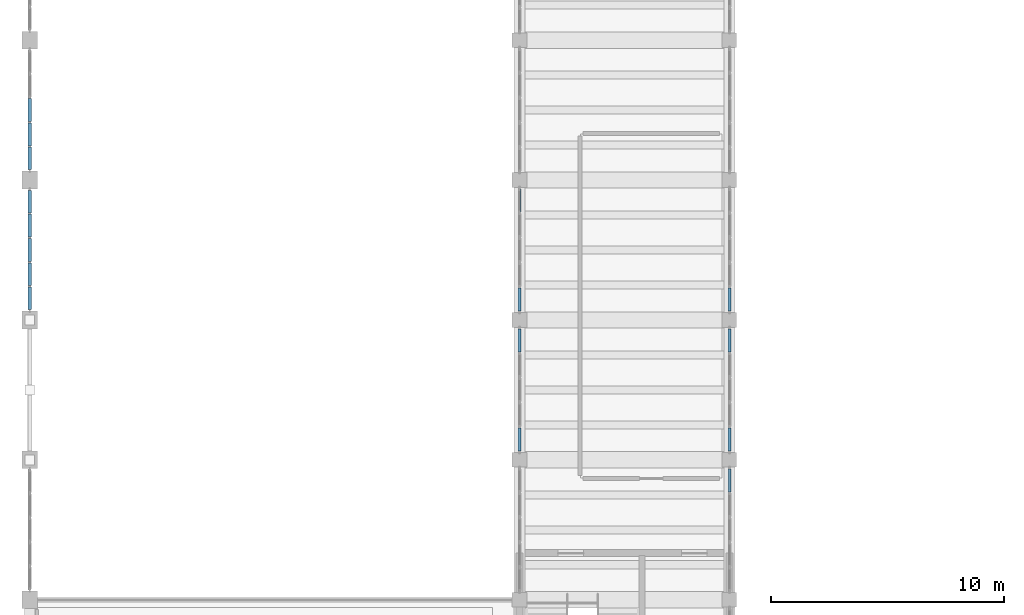
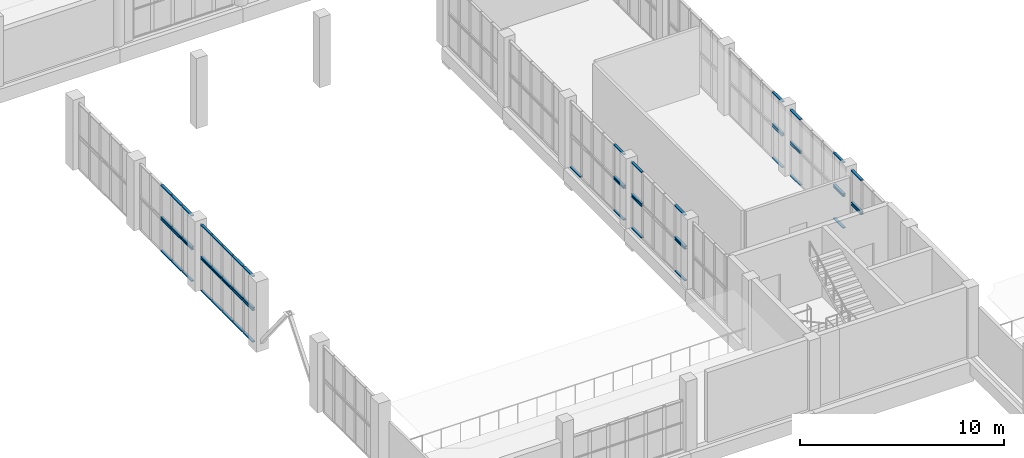
# One storey, part 34 of 85: 60 members, 14 elements without a shape of their own.
"""IFC4 building model written with IfcOpenShell, lengths in metres."""

from ifc_helpers import new_model, si_unit, direction, frame, origin, origin_2d, place, context, subcontext, project, spatial, rectangle, extrude, material, layer, layer_set, material_profile, profile_set, type_object, element, aggregate, save


model = new_model("IFC4")

# Units and contexts
model_context = context("Model", 3, precision=1e-05, world=origin(), true_north=direction((0.0, 1.0)))
body_context = subcontext(model_context, "Body", "Model", "MODEL_VIEW")
ifc_project = project(units=[si_unit("LENGTHUNIT", "METRE"), si_unit("AREAUNIT", "SQUARE_METRE"), si_unit("VOLUMEUNIT", "CUBIC_METRE"), si_unit("PLANEANGLEUNIT", "RADIAN"), si_unit("MASSUNIT", "GRAM", prefix="KILO")], contexts=[model_context])

# Site, building, storey
site_placement = place(None, origin())
site = spatial("IfcSite", under=ifc_project, at=site_placement, CompositionType="ELEMENT")
building_placement = place(site_placement, origin())
building = spatial("IfcBuilding", under=site, at=building_placement, Name="Solvane Community Centre", CompositionType="ELEMENT")
storey_placement = place(building_placement, frame((0.0, 0.0, 5.39990234375)))
storey = spatial("IfcBuildingStorey", under=building, at=storey_placement, Name="L01", CompositionType="ELEMENT", Elevation=5.39990234375)

# Curtain wall, member
ifc_material = material(Name="Anodised bronze aluminium AW-6063 T6", Category="aluminium")
ifc_layer_1 = layer(ifc_material, 0.179931640625)
ifc_layer_set_1 = layer_set([ifc_layer_1], Name="Anodised bronze aluminium AW-6063 T6")
curtain_wall_type_1 = type_object("IfcCurtainWallType", Name="Hall Translucent Upper Curtain Wall [53x19dm]", PredefinedType="NOTDEFINED", material=ifc_layer_set_1)
curtain_wall_1_placement = place(storey_placement, origin())
curtain_wall_1 = element("IfcCurtainWall", 1, at=curtain_wall_1_placement, inside=storey, type_object=curtain_wall_type_1, Name="Curtain Wall CW-L01-360_483-035", PredefinedType="NOTDEFINED")
ifc_material_profile = material_profile(ifc_material, rectangle(XDim=0.139892578125, YDim=0.06005859375, at=origin_2d()), Name="CW-T 60x140")
ifc_profile_set = profile_set([ifc_material_profile], Name="Anodised bronze aluminium AW-6063 T6")
member_type = type_object("IfcMemberType", Name="Hall Transom 60x140", PredefinedType="USERDEFINED", material=ifc_profile_set)
member_1_placement = place(storey_placement, frame((36.0, 52.632080078125, 1.920166015625), z_axis=(0.0, 1.0, 0.0), x_axis=(-1.0, 0.0, 0.0)))
member_1 = element("IfcMember", 2, at=member_1_placement, type_object=member_type, Name="CW01-53x19 transom 5.2", ObjectType="TRANSOM", PredefinedType="USERDEFINED", context=body_context, shape_type="SweptSolid", body=[
    extrude(rectangle(XDim=0.139892578125, YDim=0.06005859375, at=origin_2d()), origin(), (0.0, 0.0, 1.0), 0.97802734375),
])
aggregate(curtain_wall_1, [member_1])

# Curtain wall, members
ifc_layer_2 = layer(ifc_material, 0.179931640625)
ifc_layer_set_2 = layer_set([ifc_layer_2], Name="Anodised bronze aluminium AW-6063 T6")
curtain_wall_type_2 = type_object("IfcCurtainWallType", Name="Hall Translucent Upper Curtain Wall [53x20dm]", PredefinedType="NOTDEFINED", material=ifc_layer_set_2)
curtain_wall_2_placement = place(storey_placement, origin())
curtain_wall_2 = element("IfcCurtainWall", 3, at=curtain_wall_2_placement, inside=storey, type_object=curtain_wall_type_2, Name="Curtain Wall CW-L01-360_483-036", PredefinedType="NOTDEFINED")
member_2_placement = place(storey_placement, frame((36.0, 52.632080078125, 2.050048828125), z_axis=(0.0, 1.0, 0.0), x_axis=(-1.0, 0.0, 0.0)))
member_2 = element("IfcMember", 4, at=member_2_placement, type_object=member_type, Name="CW01-53x20 transom 5.1", ObjectType="TRANSOM", PredefinedType="USERDEFINED", context=body_context, shape_type="SweptSolid", body=[
    extrude(rectangle(XDim=0.139892578125, YDim=0.06005859375, at=origin_2d()), origin(), (0.0, 0.0, 1.0), 0.97802734375),
])
member_3_placement = place(storey_placement, frame((36.0, 52.632080078125, 3.9501953125), z_axis=(0.0, 1.0, 0.0), x_axis=(-1.0, 0.0, 0.0)))
member_3 = element("IfcMember", 5, at=member_3_placement, type_object=member_type, Name="CW01-53x20 transom 5.2", ObjectType="TRANSOM", PredefinedType="USERDEFINED", context=body_context, shape_type="SweptSolid", body=[
    extrude(rectangle(XDim=0.139892578125, YDim=0.06005859375, at=origin_2d()), origin(), (0.0, 0.0, 1.0), 0.97802734375),
])
aggregate(curtain_wall_2, [member_2, member_3])

curtain_wall_3_placement = place(storey_placement, origin())
curtain_wall_3 = element("IfcCurtainWall", 6, at=curtain_wall_3_placement, inside=storey, type_object=curtain_wall_type_1, Name="Curtain Wall CW-L01-360_543-043", PredefinedType="NOTDEFINED")
member_4_placement = place(storey_placement, frame((36.0, 54.389892578125, 0.030029296875), z_axis=(0.0, 1.0, 0.0), x_axis=(-1.0, 0.0, 0.0)))
member_4 = element("IfcMember", 7, at=member_4_placement, type_object=member_type, Name="CW01-53x19 transom 1.1", ObjectType="TRANSOM", PredefinedType="USERDEFINED", context=body_context, shape_type="SweptSolid", body=[
    extrude(rectangle(XDim=0.139892578125, YDim=0.06005859375, at=origin_2d()), origin(), (0.0, 0.0, 1.0), 0.97802734375),
])
member_5_placement = place(storey_placement, frame((36.0, 54.389892578125, 1.920166015625), z_axis=(0.0, 1.0, 0.0), x_axis=(-1.0, 0.0, 0.0)))
member_5 = element("IfcMember", 8, at=member_5_placement, type_object=member_type, Name="CW01-53x19 transom 1.2", ObjectType="TRANSOM", PredefinedType="USERDEFINED", context=body_context, shape_type="SweptSolid", body=[
    extrude(rectangle(XDim=0.139892578125, YDim=0.06005859375, at=origin_2d()), origin(), (0.0, 0.0, 1.0), 0.97802734375),
])
member_6_placement = place(storey_placement, frame((36.0, 58.632080078125, 0.030029296875), z_axis=(0.0, 1.0, 0.0), x_axis=(-1.0, 0.0, 0.0)))
member_6 = element("IfcMember", 9, at=member_6_placement, type_object=member_type, Name="CW01-53x19 transom 5.1", ObjectType="TRANSOM", PredefinedType="USERDEFINED", context=body_context, shape_type="SweptSolid", body=[
    extrude(rectangle(XDim=0.139892578125, YDim=0.06005859375, at=origin_2d()), origin(), (0.0, 0.0, 1.0), 0.97802734375),
])
member_7_placement = place(storey_placement, frame((36.0, 58.632080078125, 1.920166015625), z_axis=(0.0, 1.0, 0.0), x_axis=(-1.0, 0.0, 0.0)))
member_7 = element("IfcMember", 10, at=member_7_placement, type_object=member_type, Name="CW01-53x19 transom 5.2", ObjectType="TRANSOM", PredefinedType="USERDEFINED", context=body_context, shape_type="SweptSolid", body=[
    extrude(rectangle(XDim=0.139892578125, YDim=0.06005859375, at=origin_2d()), origin(), (0.0, 0.0, 1.0), 0.97802734375),
])
aggregate(curtain_wall_3, [member_4, member_5, member_6, member_7])

curtain_wall_4_placement = place(storey_placement, origin())
curtain_wall_4 = element("IfcCurtainWall", 11, at=curtain_wall_4_placement, inside=storey, type_object=curtain_wall_type_2, Name="Curtain Wall CW-L01-360_543-044", PredefinedType="NOTDEFINED")
member_8_placement = place(storey_placement, frame((36.0, 54.389892578125, 2.050048828125), z_axis=(0.0, 1.0, 0.0), x_axis=(-1.0, 0.0, 0.0)))
member_8 = element("IfcMember", 12, at=member_8_placement, type_object=member_type, Name="CW01-53x20 transom 1.1", ObjectType="TRANSOM", PredefinedType="USERDEFINED", context=body_context, shape_type="SweptSolid", body=[
    extrude(rectangle(XDim=0.139892578125, YDim=0.06005859375, at=origin_2d()), origin(), (0.0, 0.0, 1.0), 0.97802734375),
])
member_9_placement = place(storey_placement, frame((36.0, 54.389892578125, 3.9501953125), z_axis=(0.0, 1.0, 0.0), x_axis=(-1.0, 0.0, 0.0)))
member_9 = element("IfcMember", 13, at=member_9_placement, type_object=member_type, Name="CW01-53x20 transom 1.2", ObjectType="TRANSOM", PredefinedType="USERDEFINED", context=body_context, shape_type="SweptSolid", body=[
    extrude(rectangle(XDim=0.139892578125, YDim=0.06005859375, at=origin_2d()), origin(), (0.0, 0.0, 1.0), 0.97802734375),
])
member_10_placement = place(storey_placement, frame((36.0, 58.632080078125, 2.050048828125), z_axis=(0.0, 1.0, 0.0), x_axis=(-1.0, 0.0, 0.0)))
member_10 = element("IfcMember", 14, at=member_10_placement, type_object=member_type, Name="CW01-53x20 transom 5.1", ObjectType="TRANSOM", PredefinedType="USERDEFINED", context=body_context, shape_type="SweptSolid", body=[
    extrude(rectangle(XDim=0.139892578125, YDim=0.06005859375, at=origin_2d()), origin(), (0.0, 0.0, 1.0), 0.97802734375),
])
member_11_placement = place(storey_placement, frame((36.0, 58.632080078125, 3.9501953125), z_axis=(0.0, 1.0, 0.0), x_axis=(-1.0, 0.0, 0.0)))
member_11 = element("IfcMember", 15, at=member_11_placement, type_object=member_type, Name="CW01-53x20 transom 5.2", ObjectType="TRANSOM", PredefinedType="USERDEFINED", context=body_context, shape_type="SweptSolid", body=[
    extrude(rectangle(XDim=0.139892578125, YDim=0.06005859375, at=origin_2d()), origin(), (0.0, 0.0, 1.0), 0.97802734375),
])
aggregate(curtain_wall_4, [member_8, member_9, member_10, member_11])

curtain_wall_5_placement = place(storey_placement, origin())
curtain_wall_5 = element("IfcCurtainWall", 16, at=curtain_wall_5_placement, inside=storey, type_object=curtain_wall_type_1, Name="Curtain Wall CW-L01-270_597-047", PredefinedType="NOTDEFINED")
member_12_placement = place(storey_placement, frame((27.0, 59.610107421875, 0.030029296875), z_axis=(0.0, -1.0, 0.0), x_axis=(1.0, 0.0, 0.0)))
member_12 = element("IfcMember", 17, at=member_12_placement, type_object=member_type, Name="CW01-53x19 transom 1.1", ObjectType="TRANSOM", PredefinedType="USERDEFINED", context=body_context, shape_type="SweptSolid", body=[
    extrude(rectangle(XDim=0.139892578125, YDim=0.06005859375, at=origin_2d()), origin(), (0.0, 0.0, 1.0), 0.97802734375),
])
member_13_placement = place(storey_placement, frame((27.0, 59.610107421875, 1.920166015625), z_axis=(0.0, -1.0, 0.0), x_axis=(1.0, 0.0, 0.0)))
member_13 = element("IfcMember", 18, at=member_13_placement, type_object=member_type, Name="CW01-53x19 transom 1.2", ObjectType="TRANSOM", PredefinedType="USERDEFINED", context=body_context, shape_type="SweptSolid", body=[
    extrude(rectangle(XDim=0.139892578125, YDim=0.06005859375, at=origin_2d()), origin(), (0.0, 0.0, 1.0), 0.97802734375),
])
member_14_placement = place(storey_placement, frame((27.0, 55.367919921875, 0.030029296875), z_axis=(0.0, -1.0, 0.0), x_axis=(1.0, 0.0, 0.0)))
member_14 = element("IfcMember", 19, at=member_14_placement, type_object=member_type, Name="CW01-53x19 transom 5.1", ObjectType="TRANSOM", PredefinedType="USERDEFINED", context=body_context, shape_type="SweptSolid", body=[
    extrude(rectangle(XDim=0.139892578125, YDim=0.06005859375, at=origin_2d()), origin(), (0.0, 0.0, 1.0), 0.97802734375),
])
member_15_placement = place(storey_placement, frame((27.0, 55.367919921875, 1.920166015625), z_axis=(0.0, -1.0, 0.0), x_axis=(1.0, 0.0, 0.0)))
member_15 = element("IfcMember", 20, at=member_15_placement, type_object=member_type, Name="CW01-53x19 transom 5.2", ObjectType="TRANSOM", PredefinedType="USERDEFINED", context=body_context, shape_type="SweptSolid", body=[
    extrude(rectangle(XDim=0.139892578125, YDim=0.06005859375, at=origin_2d()), origin(), (0.0, 0.0, 1.0), 0.97802734375),
])
aggregate(curtain_wall_5, [member_12, member_13, member_14, member_15])

curtain_wall_6_placement = place(storey_placement, origin())
curtain_wall_6 = element("IfcCurtainWall", 21, at=curtain_wall_6_placement, inside=storey, type_object=curtain_wall_type_2, Name="Curtain Wall CW-L01-270_597-048", PredefinedType="NOTDEFINED")
member_16_placement = place(storey_placement, frame((27.0, 59.610107421875, 2.050048828125), z_axis=(0.0, -1.0, 0.0), x_axis=(1.0, 0.0, 0.0)))
member_16 = element("IfcMember", 22, at=member_16_placement, type_object=member_type, Name="CW01-53x20 transom 1.1", ObjectType="TRANSOM", PredefinedType="USERDEFINED", context=body_context, shape_type="SweptSolid", body=[
    extrude(rectangle(XDim=0.139892578125, YDim=0.06005859375, at=origin_2d()), origin(), (0.0, 0.0, 1.0), 0.97802734375),
])
member_17_placement = place(storey_placement, frame((27.0, 59.610107421875, 3.9501953125), z_axis=(0.0, -1.0, 0.0), x_axis=(1.0, 0.0, 0.0)))
member_17 = element("IfcMember", 23, at=member_17_placement, type_object=member_type, Name="CW01-53x20 transom 1.2", ObjectType="TRANSOM", PredefinedType="USERDEFINED", context=body_context, shape_type="SweptSolid", body=[
    extrude(rectangle(XDim=0.139892578125, YDim=0.06005859375, at=origin_2d()), origin(), (0.0, 0.0, 1.0), 0.97802734375),
])
member_18_placement = place(storey_placement, frame((27.0, 55.367919921875, 2.050048828125), z_axis=(0.0, -1.0, 0.0), x_axis=(1.0, 0.0, 0.0)))
member_18 = element("IfcMember", 24, at=member_18_placement, type_object=member_type, Name="CW01-53x20 transom 5.1", ObjectType="TRANSOM", PredefinedType="USERDEFINED", context=body_context, shape_type="SweptSolid", body=[
    extrude(rectangle(XDim=0.139892578125, YDim=0.06005859375, at=origin_2d()), origin(), (0.0, 0.0, 1.0), 0.97802734375),
])
member_19_placement = place(storey_placement, frame((27.0, 55.367919921875, 3.9501953125), z_axis=(0.0, -1.0, 0.0), x_axis=(1.0, 0.0, 0.0)))
member_19 = element("IfcMember", 25, at=member_19_placement, type_object=member_type, Name="CW01-53x20 transom 5.2", ObjectType="TRANSOM", PredefinedType="USERDEFINED", context=body_context, shape_type="SweptSolid", body=[
    extrude(rectangle(XDim=0.139892578125, YDim=0.06005859375, at=origin_2d()), origin(), (0.0, 0.0, 1.0), 0.97802734375),
])
aggregate(curtain_wall_6, [member_16, member_17, member_18, member_19])

curtain_wall_7_placement = place(storey_placement, origin())
curtain_wall_7 = element("IfcCurtainWall", 26, at=curtain_wall_7_placement, inside=storey, type_object=curtain_wall_type_1, Name="Curtain Wall CW-L01-360_603-049", PredefinedType="NOTDEFINED")
member_20_placement = place(storey_placement, frame((36.0, 60.389892578125, 0.030029296875), z_axis=(0.0, 1.0, 0.0), x_axis=(-1.0, 0.0, 0.0)))
member_20 = element("IfcMember", 27, at=member_20_placement, type_object=member_type, Name="CW01-53x19 transom 1.1", ObjectType="TRANSOM", PredefinedType="USERDEFINED", context=body_context, shape_type="SweptSolid", body=[
    extrude(rectangle(XDim=0.139892578125, YDim=0.06005859375, at=origin_2d()), origin(), (0.0, 0.0, 1.0), 0.97802734375),
])
member_21_placement = place(storey_placement, frame((36.0, 60.389892578125, 1.920166015625), z_axis=(0.0, 1.0, 0.0), x_axis=(-1.0, 0.0, 0.0)))
member_21 = element("IfcMember", 28, at=member_21_placement, type_object=member_type, Name="CW01-53x19 transom 1.2", ObjectType="TRANSOM", PredefinedType="USERDEFINED", context=body_context, shape_type="SweptSolid", body=[
    extrude(rectangle(XDim=0.139892578125, YDim=0.06005859375, at=origin_2d()), origin(), (0.0, 0.0, 1.0), 0.97802734375),
])
aggregate(curtain_wall_7, [member_20, member_21])

curtain_wall_8_placement = place(storey_placement, origin())
curtain_wall_8 = element("IfcCurtainWall", 29, at=curtain_wall_8_placement, inside=storey, type_object=curtain_wall_type_2, Name="Curtain Wall CW-L01-360_603-050", PredefinedType="NOTDEFINED")
member_22_placement = place(storey_placement, frame((36.0, 60.389892578125, 2.050048828125), z_axis=(0.0, 1.0, 0.0), x_axis=(-1.0, 0.0, 0.0)))
member_22 = element("IfcMember", 30, at=member_22_placement, type_object=member_type, Name="CW01-53x20 transom 1.1", ObjectType="TRANSOM", PredefinedType="USERDEFINED", context=body_context, shape_type="SweptSolid", body=[
    extrude(rectangle(XDim=0.139892578125, YDim=0.06005859375, at=origin_2d()), origin(), (0.0, 0.0, 1.0), 0.97802734375),
])
member_23_placement = place(storey_placement, frame((36.0, 60.389892578125, 3.9501953125), z_axis=(0.0, 1.0, 0.0), x_axis=(-1.0, 0.0, 0.0)))
member_23 = element("IfcMember", 31, at=member_23_placement, type_object=member_type, Name="CW01-53x20 transom 1.2", ObjectType="TRANSOM", PredefinedType="USERDEFINED", context=body_context, shape_type="SweptSolid", body=[
    extrude(rectangle(XDim=0.139892578125, YDim=0.06005859375, at=origin_2d()), origin(), (0.0, 0.0, 1.0), 0.97802734375),
])
aggregate(curtain_wall_8, [member_22, member_23])

ifc_layer_3 = layer(ifc_material, 0.179931640625)
ifc_layer_set_3 = layer_set([ifc_layer_3], Name="Anodised bronze aluminium AW-6063 T6")
curtain_wall_type_3 = type_object("IfcCurtainWallType", Name="Hall Translucent Upper Curtain Wall [52x19dm]", PredefinedType="NOTDEFINED", material=ifc_layer_set_3)
curtain_wall_9_placement = place(storey_placement, origin())
curtain_wall_9 = element("IfcCurtainWall", 32, at=curtain_wall_9_placement, inside=storey, type_object=curtain_wall_type_3, Name="Curtain Wall CW-L01-60_604-053", PredefinedType="NOTDEFINED")
member_24_placement = place(storey_placement, frame((6.0, 60.455078125, 0.030029296875), z_axis=(0.0, 1.0, 0.0), x_axis=(-1.0, 0.0, 0.0)))
member_24 = element("IfcMember", 33, at=member_24_placement, type_object=member_type, Name="CW01-52x19 transom 1.1", ObjectType="TRANSOM", PredefinedType="USERDEFINED", context=body_context, shape_type="SweptSolid", body=[
    extrude(rectangle(XDim=0.139892578125, YDim=0.06005859375, at=origin_2d()), origin(), (0.0, 0.0, 1.0), 0.951904296875),
])
member_25_placement = place(storey_placement, frame((6.0, 60.455078125, 1.920166015625), z_axis=(0.0, 1.0, 0.0), x_axis=(-1.0, 0.0, 0.0)))
member_25 = element("IfcMember", 34, at=member_25_placement, type_object=member_type, Name="CW01-52x19 transom 1.2", ObjectType="TRANSOM", PredefinedType="USERDEFINED", context=body_context, shape_type="SweptSolid", body=[
    extrude(rectangle(XDim=0.139892578125, YDim=0.06005859375, at=origin_2d()), origin(), (0.0, 0.0, 1.0), 0.951904296875),
])
member_26_placement = place(storey_placement, frame((6.0, 61.467041015625, 0.030029296875), z_axis=(0.0, 1.0, 0.0), x_axis=(-1.0, 0.0, 0.0)))
member_26 = element("IfcMember", 35, at=member_26_placement, type_object=member_type, Name="CW01-52x19 transom 2.1", ObjectType="TRANSOM", PredefinedType="USERDEFINED", context=body_context, shape_type="SweptSolid", body=[
    extrude(rectangle(XDim=0.139892578125, YDim=0.06005859375, at=origin_2d()), origin(), (0.0, 0.0, 1.0), 0.98193359375),
])
member_27_placement = place(storey_placement, frame((6.0, 61.467041015625, 1.920166015625), z_axis=(0.0, 1.0, 0.0), x_axis=(-1.0, 0.0, 0.0)))
member_27 = element("IfcMember", 36, at=member_27_placement, type_object=member_type, Name="CW01-52x19 transom 2.2", ObjectType="TRANSOM", PredefinedType="USERDEFINED", context=body_context, shape_type="SweptSolid", body=[
    extrude(rectangle(XDim=0.139892578125, YDim=0.06005859375, at=origin_2d()), origin(), (0.0, 0.0, 1.0), 0.98193359375),
])
member_28_placement = place(storey_placement, frame((6.0, 62.509033203125, 0.030029296875), z_axis=(0.0, 1.0, 0.0), x_axis=(-1.0, 0.0, 0.0)))
member_28 = element("IfcMember", 37, at=member_28_placement, type_object=member_type, Name="CW01-52x19 transom 3.1", ObjectType="TRANSOM", PredefinedType="USERDEFINED", context=body_context, shape_type="SweptSolid", body=[
    extrude(rectangle(XDim=0.139892578125, YDim=0.06005859375, at=origin_2d()), origin(), (0.0, 0.0, 1.0), 0.98193359375),
])
member_29_placement = place(storey_placement, frame((6.0, 62.509033203125, 1.920166015625), z_axis=(0.0, 1.0, 0.0), x_axis=(-1.0, 0.0, 0.0)))
member_29 = element("IfcMember", 38, at=member_29_placement, type_object=member_type, Name="CW01-52x19 transom 3.2", ObjectType="TRANSOM", PredefinedType="USERDEFINED", context=body_context, shape_type="SweptSolid", body=[
    extrude(rectangle(XDim=0.139892578125, YDim=0.06005859375, at=origin_2d()), origin(), (0.0, 0.0, 1.0), 0.98193359375),
])
member_30_placement = place(storey_placement, frame((6.0, 63.551025390625, 0.030029296875), z_axis=(0.0, 1.0, 0.0), x_axis=(-1.0, 0.0, 0.0)))
member_30 = element("IfcMember", 39, at=member_30_placement, type_object=member_type, Name="CW01-52x19 transom 4.1", ObjectType="TRANSOM", PredefinedType="USERDEFINED", context=body_context, shape_type="SweptSolid", body=[
    extrude(rectangle(XDim=0.139892578125, YDim=0.06005859375, at=origin_2d()), origin(), (0.0, 0.0, 1.0), 0.98193359375),
])
member_31_placement = place(storey_placement, frame((6.0, 63.551025390625, 1.920166015625), z_axis=(0.0, 1.0, 0.0), x_axis=(-1.0, 0.0, 0.0)))
member_31 = element("IfcMember", 40, at=member_31_placement, type_object=member_type, Name="CW01-52x19 transom 4.2", ObjectType="TRANSOM", PredefinedType="USERDEFINED", context=body_context, shape_type="SweptSolid", body=[
    extrude(rectangle(XDim=0.139892578125, YDim=0.06005859375, at=origin_2d()), origin(), (0.0, 0.0, 1.0), 0.98193359375),
])
member_32_placement = place(storey_placement, frame((6.0, 64.593017578125, 0.030029296875), z_axis=(0.0, 1.0, 0.0), x_axis=(-1.0, 0.0, 0.0)))
member_32 = element("IfcMember", 41, at=member_32_placement, type_object=member_type, Name="CW01-52x19 transom 5.1", ObjectType="TRANSOM", PredefinedType="USERDEFINED", context=body_context, shape_type="SweptSolid", body=[
    extrude(rectangle(XDim=0.139892578125, YDim=0.06005859375, at=origin_2d()), origin(), (0.0, 0.0, 1.0), 0.951904296875),
])
member_33_placement = place(storey_placement, frame((6.0, 64.593017578125, 1.920166015625), z_axis=(0.0, 1.0, 0.0), x_axis=(-1.0, 0.0, 0.0)))
member_33 = element("IfcMember", 42, at=member_33_placement, type_object=member_type, Name="CW01-52x19 transom 5.2", ObjectType="TRANSOM", PredefinedType="USERDEFINED", context=body_context, shape_type="SweptSolid", body=[
    extrude(rectangle(XDim=0.139892578125, YDim=0.06005859375, at=origin_2d()), origin(), (0.0, 0.0, 1.0), 0.951904296875),
])
aggregate(curtain_wall_9, [member_24, member_25, member_26, member_27, member_28, member_29, member_30, member_31, member_32, member_33])

ifc_layer_4 = layer(ifc_material, 0.179931640625)
ifc_layer_set_4 = layer_set([ifc_layer_4], Name="Anodised bronze aluminium AW-6063 T6")
curtain_wall_type_4 = type_object("IfcCurtainWallType", Name="Hall Translucent Upper Curtain Wall [52x20dm]", PredefinedType="NOTDEFINED", material=ifc_layer_set_4)
curtain_wall_10_placement = place(storey_placement, origin())
curtain_wall_10 = element("IfcCurtainWall", 43, at=curtain_wall_10_placement, inside=storey, type_object=curtain_wall_type_4, Name="Curtain Wall CW-L01-60_604-054", PredefinedType="NOTDEFINED")
member_34_placement = place(storey_placement, frame((6.0, 60.455078125, 2.050048828125), z_axis=(0.0, 1.0, 0.0), x_axis=(-1.0, 0.0, 0.0)))
member_34 = element("IfcMember", 44, at=member_34_placement, type_object=member_type, Name="CW01-52x20 transom 1.1", ObjectType="TRANSOM", PredefinedType="USERDEFINED", context=body_context, shape_type="SweptSolid", body=[
    extrude(rectangle(XDim=0.139892578125, YDim=0.06005859375, at=origin_2d()), origin(), (0.0, 0.0, 1.0), 0.951904296875),
])
member_35_placement = place(storey_placement, frame((6.0, 60.455078125, 3.9501953125), z_axis=(0.0, 1.0, 0.0), x_axis=(-1.0, 0.0, 0.0)))
member_35 = element("IfcMember", 45, at=member_35_placement, type_object=member_type, Name="CW01-52x20 transom 1.2", ObjectType="TRANSOM", PredefinedType="USERDEFINED", context=body_context, shape_type="SweptSolid", body=[
    extrude(rectangle(XDim=0.139892578125, YDim=0.06005859375, at=origin_2d()), origin(), (0.0, 0.0, 1.0), 0.951904296875),
])
member_36_placement = place(storey_placement, frame((6.0, 61.467041015625, 2.050048828125), z_axis=(0.0, 1.0, 0.0), x_axis=(-1.0, 0.0, 0.0)))
member_36 = element("IfcMember", 46, at=member_36_placement, type_object=member_type, Name="CW01-52x20 transom 2.1", ObjectType="TRANSOM", PredefinedType="USERDEFINED", context=body_context, shape_type="SweptSolid", body=[
    extrude(rectangle(XDim=0.139892578125, YDim=0.06005859375, at=origin_2d()), origin(), (0.0, 0.0, 1.0), 0.98193359375),
])
member_37_placement = place(storey_placement, frame((6.0, 61.467041015625, 3.9501953125), z_axis=(0.0, 1.0, 0.0), x_axis=(-1.0, 0.0, 0.0)))
member_37 = element("IfcMember", 47, at=member_37_placement, type_object=member_type, Name="CW01-52x20 transom 2.2", ObjectType="TRANSOM", PredefinedType="USERDEFINED", context=body_context, shape_type="SweptSolid", body=[
    extrude(rectangle(XDim=0.139892578125, YDim=0.06005859375, at=origin_2d()), origin(), (0.0, 0.0, 1.0), 0.98193359375),
])
member_38_placement = place(storey_placement, frame((6.0, 62.509033203125, 2.050048828125), z_axis=(0.0, 1.0, 0.0), x_axis=(-1.0, 0.0, 0.0)))
member_38 = element("IfcMember", 48, at=member_38_placement, type_object=member_type, Name="CW01-52x20 transom 3.1", ObjectType="TRANSOM", PredefinedType="USERDEFINED", context=body_context, shape_type="SweptSolid", body=[
    extrude(rectangle(XDim=0.139892578125, YDim=0.06005859375, at=origin_2d()), origin(), (0.0, 0.0, 1.0), 0.98193359375),
])
member_39_placement = place(storey_placement, frame((6.0, 62.509033203125, 3.9501953125), z_axis=(0.0, 1.0, 0.0), x_axis=(-1.0, 0.0, 0.0)))
member_39 = element("IfcMember", 49, at=member_39_placement, type_object=member_type, Name="CW01-52x20 transom 3.2", ObjectType="TRANSOM", PredefinedType="USERDEFINED", context=body_context, shape_type="SweptSolid", body=[
    extrude(rectangle(XDim=0.139892578125, YDim=0.06005859375, at=origin_2d()), origin(), (0.0, 0.0, 1.0), 0.98193359375),
])
member_40_placement = place(storey_placement, frame((6.0, 63.551025390625, 2.050048828125), z_axis=(0.0, 1.0, 0.0), x_axis=(-1.0, 0.0, 0.0)))
member_40 = element("IfcMember", 50, at=member_40_placement, type_object=member_type, Name="CW01-52x20 transom 4.1", ObjectType="TRANSOM", PredefinedType="USERDEFINED", context=body_context, shape_type="SweptSolid", body=[
    extrude(rectangle(XDim=0.139892578125, YDim=0.06005859375, at=origin_2d()), origin(), (0.0, 0.0, 1.0), 0.98193359375),
])
member_41_placement = place(storey_placement, frame((6.0, 63.551025390625, 3.9501953125), z_axis=(0.0, 1.0, 0.0), x_axis=(-1.0, 0.0, 0.0)))
member_41 = element("IfcMember", 51, at=member_41_placement, type_object=member_type, Name="CW01-52x20 transom 4.2", ObjectType="TRANSOM", PredefinedType="USERDEFINED", context=body_context, shape_type="SweptSolid", body=[
    extrude(rectangle(XDim=0.139892578125, YDim=0.06005859375, at=origin_2d()), origin(), (0.0, 0.0, 1.0), 0.98193359375),
])
member_42_placement = place(storey_placement, frame((6.0, 64.593017578125, 2.050048828125), z_axis=(0.0, 1.0, 0.0), x_axis=(-1.0, 0.0, 0.0)))
member_42 = element("IfcMember", 52, at=member_42_placement, type_object=member_type, Name="CW01-52x20 transom 5.1", ObjectType="TRANSOM", PredefinedType="USERDEFINED", context=body_context, shape_type="SweptSolid", body=[
    extrude(rectangle(XDim=0.139892578125, YDim=0.06005859375, at=origin_2d()), origin(), (0.0, 0.0, 1.0), 0.951904296875),
])
member_43_placement = place(storey_placement, frame((6.0, 64.593017578125, 3.9501953125), z_axis=(0.0, 1.0, 0.0), x_axis=(-1.0, 0.0, 0.0)))
member_43 = element("IfcMember", 53, at=member_43_placement, type_object=member_type, Name="CW01-52x20 transom 5.2", ObjectType="TRANSOM", PredefinedType="USERDEFINED", context=body_context, shape_type="SweptSolid", body=[
    extrude(rectangle(XDim=0.139892578125, YDim=0.06005859375, at=origin_2d()), origin(), (0.0, 0.0, 1.0), 0.951904296875),
])
aggregate(curtain_wall_10, [member_34, member_35, member_36, member_37, member_38, member_39, member_40, member_41, member_42, member_43])

curtain_wall_11_placement = place(storey_placement, origin())
curtain_wall_11 = element("IfcCurtainWall", 54, at=curtain_wall_11_placement, inside=storey, type_object=curtain_wall_type_1, Name="Curtain Wall CW-L01-270_657-055", PredefinedType="NOTDEFINED")
member_44_placement = place(storey_placement, frame((27.0, 65.610107421875, 0.030029296875), z_axis=(0.0, -1.0, 0.0), x_axis=(1.0, 0.0, 0.0)))
member_44 = element("IfcMember", 55, at=member_44_placement, type_object=member_type, Name="CW01-53x19 transom 1.1", ObjectType="TRANSOM", PredefinedType="USERDEFINED", context=body_context, shape_type="SweptSolid", body=[
    extrude(rectangle(XDim=0.139892578125, YDim=0.06005859375, at=origin_2d()), origin(), (0.0, 0.0, 1.0), 0.97802734375),
])
member_45_placement = place(storey_placement, frame((27.0, 61.367919921875, 0.030029296875), z_axis=(0.0, -1.0, 0.0), x_axis=(1.0, 0.0, 0.0)))
member_45 = element("IfcMember", 56, at=member_45_placement, type_object=member_type, Name="CW01-53x19 transom 5.1", ObjectType="TRANSOM", PredefinedType="USERDEFINED", context=body_context, shape_type="SweptSolid", body=[
    extrude(rectangle(XDim=0.139892578125, YDim=0.06005859375, at=origin_2d()), origin(), (0.0, 0.0, 1.0), 0.97802734375),
])
member_46_placement = place(storey_placement, frame((27.0, 61.367919921875, 1.920166015625), z_axis=(0.0, -1.0, 0.0), x_axis=(1.0, 0.0, 0.0)))
member_46 = element("IfcMember", 57, at=member_46_placement, type_object=member_type, Name="CW01-53x19 transom 5.2", ObjectType="TRANSOM", PredefinedType="USERDEFINED", context=body_context, shape_type="SweptSolid", body=[
    extrude(rectangle(XDim=0.139892578125, YDim=0.06005859375, at=origin_2d()), origin(), (0.0, 0.0, 1.0), 0.97802734375),
])
aggregate(curtain_wall_11, [member_44, member_45, member_46])

curtain_wall_12_placement = place(storey_placement, origin())
curtain_wall_12 = element("IfcCurtainWall", 58, at=curtain_wall_12_placement, inside=storey, type_object=curtain_wall_type_2, Name="Curtain Wall CW-L01-270_657-056", PredefinedType="NOTDEFINED")
member_47_placement = place(storey_placement, frame((27.0, 61.367919921875, 2.050048828125), z_axis=(0.0, -1.0, 0.0), x_axis=(1.0, 0.0, 0.0)))
member_47 = element("IfcMember", 59, at=member_47_placement, type_object=member_type, Name="CW01-53x20 transom 5.1", ObjectType="TRANSOM", PredefinedType="USERDEFINED", context=body_context, shape_type="SweptSolid", body=[
    extrude(rectangle(XDim=0.139892578125, YDim=0.06005859375, at=origin_2d()), origin(), (0.0, 0.0, 1.0), 0.97802734375),
])
member_48_placement = place(storey_placement, frame((27.0, 61.367919921875, 3.9501953125), z_axis=(0.0, -1.0, 0.0), x_axis=(1.0, 0.0, 0.0)))
member_48 = element("IfcMember", 60, at=member_48_placement, type_object=member_type, Name="CW01-53x20 transom 5.2", ObjectType="TRANSOM", PredefinedType="USERDEFINED", context=body_context, shape_type="SweptSolid", body=[
    extrude(rectangle(XDim=0.139892578125, YDim=0.06005859375, at=origin_2d()), origin(), (0.0, 0.0, 1.0), 0.97802734375),
])
aggregate(curtain_wall_12, [member_47, member_48])

curtain_wall_13_placement = place(storey_placement, origin())
curtain_wall_13 = element("IfcCurtainWall", 61, at=curtain_wall_13_placement, inside=storey, type_object=curtain_wall_type_3, Name="Curtain Wall CW-L01-60_664-061", PredefinedType="NOTDEFINED")
member_49_placement = place(storey_placement, frame((6.0, 66.455078125, 0.030029296875), z_axis=(0.0, 1.0, 0.0), x_axis=(-1.0, 0.0, 0.0)))
member_49 = element("IfcMember", 62, at=member_49_placement, type_object=member_type, Name="CW01-52x19 transom 1.1", ObjectType="TRANSOM", PredefinedType="USERDEFINED", context=body_context, shape_type="SweptSolid", body=[
    extrude(rectangle(XDim=0.139892578125, YDim=0.06005859375, at=origin_2d()), origin(), (0.0, 0.0, 1.0), 0.951904296875),
])
member_50_placement = place(storey_placement, frame((6.0, 66.455078125, 1.920166015625), z_axis=(0.0, 1.0, 0.0), x_axis=(-1.0, 0.0, 0.0)))
member_50 = element("IfcMember", 63, at=member_50_placement, type_object=member_type, Name="CW01-52x19 transom 1.2", ObjectType="TRANSOM", PredefinedType="USERDEFINED", context=body_context, shape_type="SweptSolid", body=[
    extrude(rectangle(XDim=0.139892578125, YDim=0.06005859375, at=origin_2d()), origin(), (0.0, 0.0, 1.0), 0.951904296875),
])
member_51_placement = place(storey_placement, frame((6.0, 67.467041015625, 0.030029296875), z_axis=(0.0, 1.0, 0.0), x_axis=(-1.0, 0.0, 0.0)))
member_51 = element("IfcMember", 64, at=member_51_placement, type_object=member_type, Name="CW01-52x19 transom 2.1", ObjectType="TRANSOM", PredefinedType="USERDEFINED", context=body_context, shape_type="SweptSolid", body=[
    extrude(rectangle(XDim=0.139892578125, YDim=0.06005859375, at=origin_2d()), origin(), (0.0, 0.0, 1.0), 0.98193359375),
])
member_52_placement = place(storey_placement, frame((6.0, 67.467041015625, 1.920166015625), z_axis=(0.0, 1.0, 0.0), x_axis=(-1.0, 0.0, 0.0)))
member_52 = element("IfcMember", 65, at=member_52_placement, type_object=member_type, Name="CW01-52x19 transom 2.2", ObjectType="TRANSOM", PredefinedType="USERDEFINED", context=body_context, shape_type="SweptSolid", body=[
    extrude(rectangle(XDim=0.139892578125, YDim=0.06005859375, at=origin_2d()), origin(), (0.0, 0.0, 1.0), 0.98193359375),
])
member_53_placement = place(storey_placement, frame((6.0, 68.509033203125, 0.030029296875), z_axis=(0.0, 1.0, 0.0), x_axis=(-1.0, 0.0, 0.0)))
member_53 = element("IfcMember", 66, at=member_53_placement, type_object=member_type, Name="CW01-52x19 transom 3.1", ObjectType="TRANSOM", PredefinedType="USERDEFINED", context=body_context, shape_type="SweptSolid", body=[
    extrude(rectangle(XDim=0.139892578125, YDim=0.06005859375, at=origin_2d()), origin(), (0.0, 0.0, 1.0), 0.98193359375),
])
member_54_placement = place(storey_placement, frame((6.0, 68.509033203125, 1.920166015625), z_axis=(0.0, 1.0, 0.0), x_axis=(-1.0, 0.0, 0.0)))
member_54 = element("IfcMember", 67, at=member_54_placement, type_object=member_type, Name="CW01-52x19 transom 3.2", ObjectType="TRANSOM", PredefinedType="USERDEFINED", context=body_context, shape_type="SweptSolid", body=[
    extrude(rectangle(XDim=0.139892578125, YDim=0.06005859375, at=origin_2d()), origin(), (0.0, 0.0, 1.0), 0.98193359375),
])
aggregate(curtain_wall_13, [member_49, member_50, member_51, member_52, member_53, member_54])

curtain_wall_14_placement = place(storey_placement, origin())
curtain_wall_14 = element("IfcCurtainWall", 68, at=curtain_wall_14_placement, inside=storey, type_object=curtain_wall_type_4, Name="Curtain Wall CW-L01-60_664-062", PredefinedType="NOTDEFINED")
member_55_placement = place(storey_placement, frame((6.0, 66.455078125, 2.050048828125), z_axis=(0.0, 1.0, 0.0), x_axis=(-1.0, 0.0, 0.0)))
member_55 = element("IfcMember", 69, at=member_55_placement, type_object=member_type, Name="CW01-52x20 transom 1.1", ObjectType="TRANSOM", PredefinedType="USERDEFINED", context=body_context, shape_type="SweptSolid", body=[
    extrude(rectangle(XDim=0.139892578125, YDim=0.06005859375, at=origin_2d()), origin(), (0.0, 0.0, 1.0), 0.951904296875),
])
member_56_placement = place(storey_placement, frame((6.0, 66.455078125, 3.9501953125), z_axis=(0.0, 1.0, 0.0), x_axis=(-1.0, 0.0, 0.0)))
member_56 = element("IfcMember", 70, at=member_56_placement, type_object=member_type, Name="CW01-52x20 transom 1.2", ObjectType="TRANSOM", PredefinedType="USERDEFINED", context=body_context, shape_type="SweptSolid", body=[
    extrude(rectangle(XDim=0.139892578125, YDim=0.06005859375, at=origin_2d()), origin(), (0.0, 0.0, 1.0), 0.951904296875),
])
member_57_placement = place(storey_placement, frame((6.0, 67.467041015625, 2.050048828125), z_axis=(0.0, 1.0, 0.0), x_axis=(-1.0, 0.0, 0.0)))
member_57 = element("IfcMember", 71, at=member_57_placement, type_object=member_type, Name="CW01-52x20 transom 2.1", ObjectType="TRANSOM", PredefinedType="USERDEFINED", context=body_context, shape_type="SweptSolid", body=[
    extrude(rectangle(XDim=0.139892578125, YDim=0.06005859375, at=origin_2d()), origin(), (0.0, 0.0, 1.0), 0.98193359375),
])
member_58_placement = place(storey_placement, frame((6.0, 67.467041015625, 3.9501953125), z_axis=(0.0, 1.0, 0.0), x_axis=(-1.0, 0.0, 0.0)))
member_58 = element("IfcMember", 72, at=member_58_placement, type_object=member_type, Name="CW01-52x20 transom 2.2", ObjectType="TRANSOM", PredefinedType="USERDEFINED", context=body_context, shape_type="SweptSolid", body=[
    extrude(rectangle(XDim=0.139892578125, YDim=0.06005859375, at=origin_2d()), origin(), (0.0, 0.0, 1.0), 0.98193359375),
])
member_59_placement = place(storey_placement, frame((6.0, 68.509033203125, 2.050048828125), z_axis=(0.0, 1.0, 0.0), x_axis=(-1.0, 0.0, 0.0)))
member_59 = element("IfcMember", 73, at=member_59_placement, type_object=member_type, Name="CW01-52x20 transom 3.1", ObjectType="TRANSOM", PredefinedType="USERDEFINED", context=body_context, shape_type="SweptSolid", body=[
    extrude(rectangle(XDim=0.139892578125, YDim=0.06005859375, at=origin_2d()), origin(), (0.0, 0.0, 1.0), 0.98193359375),
])
member_60_placement = place(storey_placement, frame((6.0, 68.509033203125, 3.9501953125), z_axis=(0.0, 1.0, 0.0), x_axis=(-1.0, 0.0, 0.0)))
member_60 = element("IfcMember", 74, at=member_60_placement, type_object=member_type, Name="CW01-52x20 transom 3.2", ObjectType="TRANSOM", PredefinedType="USERDEFINED", context=body_context, shape_type="SweptSolid", body=[
    extrude(rectangle(XDim=0.139892578125, YDim=0.06005859375, at=origin_2d()), origin(), (0.0, 0.0, 1.0), 0.98193359375),
])
aggregate(curtain_wall_14, [member_55, member_56, member_57, member_58, member_59, member_60])

save(model, "model.ifc")
